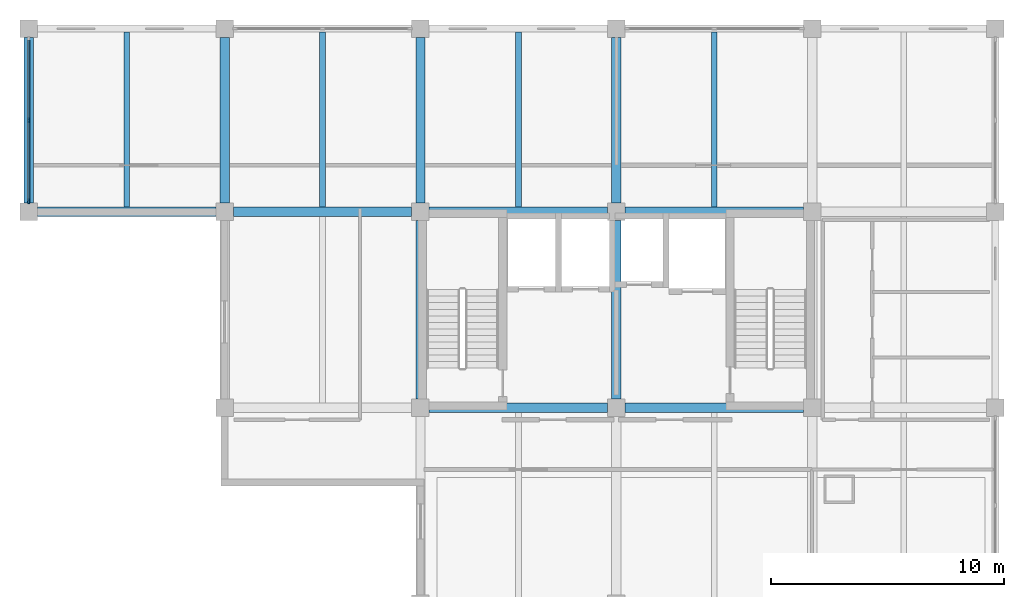
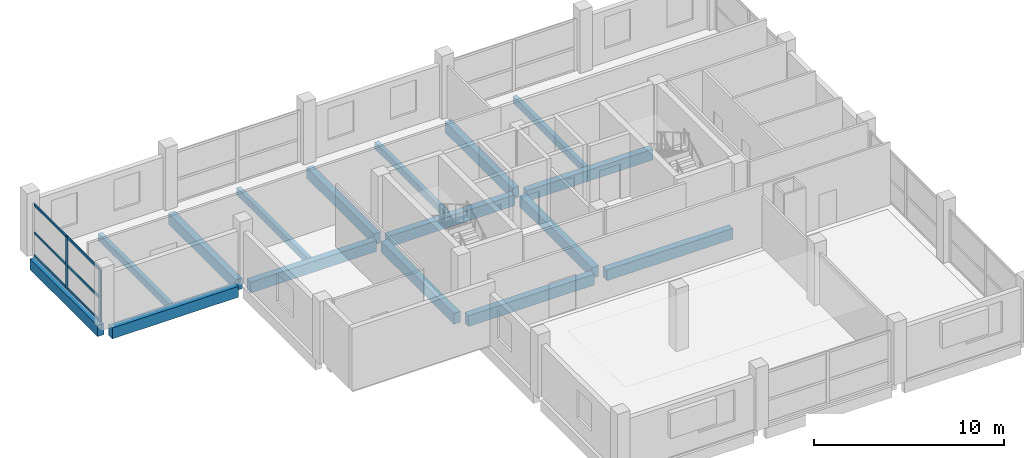
# One storey, part 3 of 9: 16 beams, 8 members, 1 element without a shape of its own.
"""IFC4 building model written with IfcOpenShell, lengths in metres."""

from ifc_helpers import new_model, si_unit, direction, frame, origin, origin_2d, place, context, subcontext, project, spatial, rectangle, extrude, material, material_profile, profile_set, type_object, element, aggregate, save


model = new_model("IFC4")

# Units and contexts
model_context = context("Model", 3, precision=1e-05, world=origin(), true_north=direction((0.0, 1.0)))
body_context = subcontext(model_context, "Body", "Model", "MODEL_VIEW")
ifc_project = project(units=[si_unit("LENGTHUNIT", "METRE"), si_unit("AREAUNIT", "SQUARE_METRE"), si_unit("VOLUMEUNIT", "CUBIC_METRE"), si_unit("PLANEANGLEUNIT", "RADIAN"), si_unit("MASSUNIT", "GRAM", prefix="KILO")], contexts=[model_context])

# Site, building, storey
site_placement = place(None, origin())
site = spatial("IfcSite", under=ifc_project, at=site_placement, CompositionType="ELEMENT")
building_placement = place(site_placement, origin())
building = spatial("IfcBuilding", under=site, at=building_placement, Name="Brinegate Botanical Conservatory", CompositionType="ELEMENT")
storey_placement = place(building_placement, frame((0.0, 0.0, 48.60009765625)))
storey = spatial("IfcBuildingStorey", under=building, at=storey_placement, Name="L12", CompositionType="ELEMENT", Elevation=48.60009765625)

# Beams
ifc_material_1 = material(Name="Concrete C40/50", Category="concrete")
ifc_material_profile_1 = material_profile(ifc_material_1, rectangle(XDim=0.39990234375, YDim=0.699951171875, at=origin_2d()), Name="RC BM 400x700")
ifc_profile_set_1 = profile_set([ifc_material_profile_1], Name="Concrete C40/50")
beam_type_1 = type_object("IfcBeamType", Name="Beam_BM-T2", PredefinedType="BEAM", material=ifc_profile_set_1)
beam_1_placement = place(storey_placement, frame((139.175048828125, 95.199951171875, -0.5400390625), z_axis=(1.0, 0.0, 0.0), x_axis=(0.0, 1.0, 0.0)))
element("IfcBeam", 1, at=beam_1_placement, inside=storey, type_object=beam_type_1, Name="Beam BM-T2 L12 M:18-19", PredefinedType="BEAM", context=body_context, shape_type="SweptSolid", body=[
    extrude(rectangle(XDim=0.39990234375, YDim=0.699951171875, at=origin_2d()), origin(), (0.0, 0.0, 1.0), 7.64990234375),
])
beam_2_placement = place(storey_placement, frame((147.574951171875, 95.199951171875, -0.5400390625), z_axis=(1.0, 0.0, 0.0), x_axis=(0.0, 1.0, 0.0)))
element("IfcBeam", 2, at=beam_2_placement, inside=storey, type_object=beam_type_1, Name="Beam BM-T2 L12 M:19-20", PredefinedType="BEAM", context=body_context, shape_type="SweptSolid", body=[
    extrude(rectangle(XDim=0.39990234375, YDim=0.699951171875, at=origin_2d()), origin(), (0.0, 0.0, 1.0), 7.650146484375),
])
beam_3_placement = place(storey_placement, frame((122.375, 103.60009765625, -0.5400390625), z_axis=(1.0, 0.0, 0.0), x_axis=(0.0, 1.0, 0.0)))
element("IfcBeam", 3, at=beam_3_placement, inside=storey, type_object=beam_type_1, Name="Beam BM-T2 L12 N:16-17", PredefinedType="BEAM", context=body_context, shape_type="SweptSolid", body=[
    extrude(rectangle(XDim=0.39990234375, YDim=0.699951171875, at=origin_2d()), origin(), (0.0, 0.0, 1.0), 7.64990234375),
])
beam_4_placement = place(storey_placement, frame((130.77490234375, 103.60009765625, -0.5400390625), z_axis=(1.0, 0.0, 0.0), x_axis=(0.0, 1.0, 0.0)))
element("IfcBeam", 4, at=beam_4_placement, inside=storey, type_object=beam_type_1, Name="Beam BM-T2 L12 N:17-18", PredefinedType="BEAM", context=body_context, shape_type="SweptSolid", body=[
    extrude(rectangle(XDim=0.39990234375, YDim=0.699951171875, at=origin_2d()), origin(), (0.0, 0.0, 1.0), 7.650146484375),
])
beam_5_placement = place(storey_placement, frame((139.175048828125, 103.60009765625, -0.5400390625), z_axis=(1.0, 0.0, 0.0), x_axis=(0.0, 1.0, 0.0)))
element("IfcBeam", 5, at=beam_5_placement, inside=storey, type_object=beam_type_1, Name="Beam BM-T2 L12 N:18-19", PredefinedType="BEAM", context=body_context, shape_type="SweptSolid", body=[
    extrude(rectangle(XDim=0.39990234375, YDim=0.699951171875, at=origin_2d()), origin(), (0.0, 0.0, 1.0), 7.64990234375),
])
beam_6_placement = place(storey_placement, frame((147.574951171875, 103.60009765625, -0.5400390625), z_axis=(1.0, 0.0, 0.0), x_axis=(0.0, 1.0, 0.0)))
element("IfcBeam", 6, at=beam_6_placement, inside=storey, type_object=beam_type_1, Name="Beam BM-T2 L12 N:19-20", PredefinedType="BEAM", context=body_context, shape_type="SweptSolid", body=[
    extrude(rectangle(XDim=0.39990234375, YDim=0.699951171875, at=origin_2d()), origin(), (0.0, 0.0, 1.0), 7.650146484375),
])
for number, where, z_axis, x_axis, name in (
    (7, (122.0, 103.97509765625, -0.5400390625), (0.0, 1.0, 0.0), (-1.0, 0.0, 0.0), "Beam BM-T2 L12 16:N-P"),
    (8, (130.39990234375, 103.97509765625, -0.5400390625), (0.0, 1.0, 0.0), (-1.0, 0.0, 0.0), "Beam BM-T2 L12 17:N-P"),
):
    element("IfcBeam", number, at=place(storey_placement, frame(where, z_axis=z_axis, x_axis=x_axis)), inside=storey, type_object=beam_type_1, Name=name, PredefinedType="BEAM", context=body_context, shape_type="SweptSolid", body=[
        extrude(rectangle(XDim=0.39990234375, YDim=0.699951171875, at=origin_2d()), origin(), (0.0, 0.0, 1.0), 7.099853515625),
    ])
beam_7_placement = place(storey_placement, frame((138.800048828125, 95.574951171875, -0.5400390625), z_axis=(0.0, 1.0, 0.0), x_axis=(-1.0, 0.0, 0.0)))
element("IfcBeam", 9, at=beam_7_placement, inside=storey, type_object=beam_type_1, Name="Beam BM-T2 L12 18:M-N", PredefinedType="BEAM", context=body_context, shape_type="SweptSolid", body=[
    extrude(rectangle(XDim=0.39990234375, YDim=0.699951171875, at=origin_2d()), origin(), (0.0, 0.0, 1.0), 7.650146484375),
])
beam_8_placement = place(storey_placement, frame((138.800048828125, 103.97509765625, -0.5400390625), z_axis=(0.0, 1.0, 0.0), x_axis=(-1.0, 0.0, 0.0)))
element("IfcBeam", 10, at=beam_8_placement, inside=storey, type_object=beam_type_1, Name="Beam BM-T2 L12 18:N-P", PredefinedType="BEAM", context=body_context, shape_type="SweptSolid", body=[
    extrude(rectangle(XDim=0.39990234375, YDim=0.699951171875, at=origin_2d()), origin(), (0.0, 0.0, 1.0), 7.099853515625),
])
beam_9_placement = place(storey_placement, frame((147.199951171875, 95.574951171875, -0.5400390625), z_axis=(0.0, 1.0, 0.0), x_axis=(-1.0, 0.0, 0.0)))
element("IfcBeam", 11, at=beam_9_placement, inside=storey, type_object=beam_type_1, Name="Beam BM-T2 L12 19:M-N", PredefinedType="BEAM", context=body_context, shape_type="SweptSolid", body=[
    extrude(rectangle(XDim=0.39990234375, YDim=0.699951171875, at=origin_2d()), origin(), (0.0, 0.0, 1.0), 7.650146484375),
])
beam_10_placement = place(storey_placement, frame((147.199951171875, 103.97509765625, -0.5400390625), z_axis=(0.0, 1.0, 0.0), x_axis=(-1.0, 0.0, 0.0)))
element("IfcBeam", 12, at=beam_10_placement, inside=storey, type_object=beam_type_1, Name="Beam BM-T2 L12 19:N-P", PredefinedType="BEAM", context=body_context, shape_type="SweptSolid", body=[
    extrude(rectangle(XDim=0.39990234375, YDim=0.699951171875, at=origin_2d()), origin(), (0.0, 0.0, 1.0), 7.099853515625),
])
ifc_material_profile_2 = material_profile(ifc_material_1, rectangle(XDim=0.25, YDim=0.449951171875, at=origin_2d()), Name="RC JST 250x450")
ifc_profile_set_2 = profile_set([ifc_material_profile_2], Name="Concrete C40/50")
beam_type_2 = type_object("IfcBeamType", Name="Beam_JS-C3", PredefinedType="JOIST", material=ifc_profile_set_2)
for number, where, z_axis, x_axis, name in (
    (13, (126.199951171875, 103.800048828125, -0.4150390625), (0.0, 1.0, 0.0), (-1.0, 0.0, 0.0), "Floor joist JS-C3 L12 bay 16.13"),
    (14, (134.60009765625, 103.800048828125, -0.4150390625), (0.0, 1.0, 0.0), (-1.0, 0.0, 0.0), "Floor joist JS-C3 L12 bay 17.13"),
    (15, (143.0, 103.800048828125, -0.4150390625), (0.0, 1.0, 0.0), (-1.0, 0.0, 0.0), "Floor joist JS-C3 L12 bay 18.13"),
    (16, (151.39990234375, 103.800048828125, -0.4150390625), (0.0, 1.0, 0.0), (-1.0, 0.0, 0.0), "Floor joist JS-C3 L12 bay 19.13"),
):
    element("IfcBeam", number, at=place(storey_placement, frame(where, z_axis=z_axis, x_axis=x_axis)), inside=storey, type_object=beam_type_2, Name=name, PredefinedType="JOIST", context=body_context, shape_type="SweptSolid", body=[
        extrude(rectangle(XDim=0.25, YDim=0.449951171875, at=origin_2d()), origin(), (0.0, 0.0, 1.0), 7.5),
    ])

# Curtain wall, members
ifc_material_2 = material(Name="Thermally broken anodised aluminium AW-6063-T6", Category="aluminium")
curtain_wall_type = type_object("IfcCurtainWallType", Name="CW_CW-TW1", PredefinedType="USERDEFINED", material=ifc_material_2)
curtain_wall_placement = place(storey_placement, origin())
curtain_wall = element("IfcCurtainWall", 17, at=curtain_wall_placement, inside=storey, type_object=curtain_wall_type, Name="Tower north-west curtain wall L12", ObjectType="FACTORY CURTAIN WALL", PredefinedType="USERDEFINED")
ifc_material_profile_3 = material_profile(ifc_material_2, rectangle(XDim=0.070068359375, YDim=0.199951171875, at=origin_2d()), Name="ALUM MULLION 70x200")
ifc_profile_set_3 = profile_set([ifc_material_profile_3], Name="Thermally broken anodised aluminium AW-6063-T6")
member_type_1 = type_object("IfcMemberType", Name="Member_ML-03", PredefinedType="MULLION", material=ifc_profile_set_3)
member_1_placement = place(storey_placement, frame((122.0, 104.050048828125, 0.0), z_axis=(0.0, 0.0, 1.0), x_axis=(-1.0, 0.0, 0.0)))
member_1 = element("IfcMember", 18, at=member_1_placement, type_object=member_type_1, Name="CW-TW1 mullion 1", PredefinedType="MULLION", context=body_context, shape_type="SweptSolid", body=[
    extrude(rectangle(XDim=0.070068359375, YDim=0.199951171875, at=origin_2d()), origin(), (0.0, 0.0, 1.0), 3.329833984375),
])
member_2_placement = place(storey_placement, frame((122.0, 107.52490234375, 0.0), z_axis=(0.0, 0.0, 1.0), x_axis=(-1.0, 0.0, 0.0)))
member_2 = element("IfcMember", 19, at=member_2_placement, type_object=member_type_1, Name="CW-TW1 mullion 2", PredefinedType="MULLION", context=body_context, shape_type="SweptSolid", body=[
    extrude(rectangle(XDim=0.070068359375, YDim=0.199951171875, at=origin_2d()), origin(), (0.0, 0.0, 1.0), 3.329833984375),
])
ifc_material_profile_4 = material_profile(ifc_material_2, rectangle(XDim=0.070068359375, YDim=0.14990234375, at=origin_2d()), Name="ALUM TRANSOM 70x150")
ifc_profile_set_4 = profile_set([ifc_material_profile_4], Name="Thermally broken anodised aluminium AW-6063-T6")
member_type_2 = type_object("IfcMemberType", Name="Member_TR-03", PredefinedType="USERDEFINED", material=ifc_profile_set_4)
member_3_placement = place(storey_placement, frame((122.0, 104.0849609375, 0.034912109375), z_axis=(0.0, 1.0, 0.0), x_axis=(-1.0, 0.0, 0.0)))
member_3 = element("IfcMember", 20, at=member_3_placement, type_object=member_type_2, Name="CW-TW1 transom 1.1", ObjectType="TRANSOM", PredefinedType="USERDEFINED", context=body_context, shape_type="SweptSolid", body=[
    extrude(rectangle(XDim=0.070068359375, YDim=0.14990234375, at=origin_2d()), origin(), (0.0, 0.0, 1.0), 3.405029296875),
])
member_4_placement = place(storey_placement, frame((122.0, 104.0849609375, 1.4990234375), z_axis=(0.0, 1.0, 0.0), x_axis=(-1.0, 0.0, 0.0)))
member_4 = element("IfcMember", 21, at=member_4_placement, type_object=member_type_2, Name="CW-TW1 transom 1.2", ObjectType="TRANSOM", PredefinedType="USERDEFINED", context=body_context, shape_type="SweptSolid", body=[
    extrude(rectangle(XDim=0.070068359375, YDim=0.14990234375, at=origin_2d()), origin(), (0.0, 0.0, 1.0), 3.405029296875),
])
member_5_placement = place(storey_placement, frame((122.0, 104.0849609375, 3.294921875), z_axis=(0.0, 1.0, 0.0), x_axis=(-1.0, 0.0, 0.0)))
member_5 = element("IfcMember", 22, at=member_5_placement, type_object=member_type_2, Name="CW-TW1 transom 1.3", ObjectType="TRANSOM", PredefinedType="USERDEFINED", context=body_context, shape_type="SweptSolid", body=[
    extrude(rectangle(XDim=0.070068359375, YDim=0.14990234375, at=origin_2d()), origin(), (0.0, 0.0, 1.0), 3.405029296875),
])
member_6_placement = place(storey_placement, frame((122.0, 107.56005859375, 0.034912109375), z_axis=(0.0, 1.0, 0.0), x_axis=(-1.0, 0.0, 0.0)))
member_6 = element("IfcMember", 23, at=member_6_placement, type_object=member_type_2, Name="CW-TW1 transom 2.1", ObjectType="TRANSOM", PredefinedType="USERDEFINED", context=body_context, shape_type="SweptSolid", body=[
    extrude(rectangle(XDim=0.070068359375, YDim=0.14990234375, at=origin_2d()), origin(), (0.0, 0.0, 1.0), 3.405029296875),
])
member_7_placement = place(storey_placement, frame((122.0, 107.56005859375, 1.4990234375), z_axis=(0.0, 1.0, 0.0), x_axis=(-1.0, 0.0, 0.0)))
member_7 = element("IfcMember", 24, at=member_7_placement, type_object=member_type_2, Name="CW-TW1 transom 2.2", ObjectType="TRANSOM", PredefinedType="USERDEFINED", context=body_context, shape_type="SweptSolid", body=[
    extrude(rectangle(XDim=0.070068359375, YDim=0.14990234375, at=origin_2d()), origin(), (0.0, 0.0, 1.0), 3.405029296875),
])
member_8_placement = place(storey_placement, frame((122.0, 107.56005859375, 3.294921875), z_axis=(0.0, 1.0, 0.0), x_axis=(-1.0, 0.0, 0.0)))
member_8 = element("IfcMember", 25, at=member_8_placement, type_object=member_type_2, Name="CW-TW1 transom 2.3", ObjectType="TRANSOM", PredefinedType="USERDEFINED", context=body_context, shape_type="SweptSolid", body=[
    extrude(rectangle(XDim=0.070068359375, YDim=0.14990234375, at=origin_2d()), origin(), (0.0, 0.0, 1.0), 3.405029296875),
])
aggregate(curtain_wall, [member_1, member_2, member_3, member_4, member_5, member_6, member_7, member_8])

save(model, "model.ifc")
